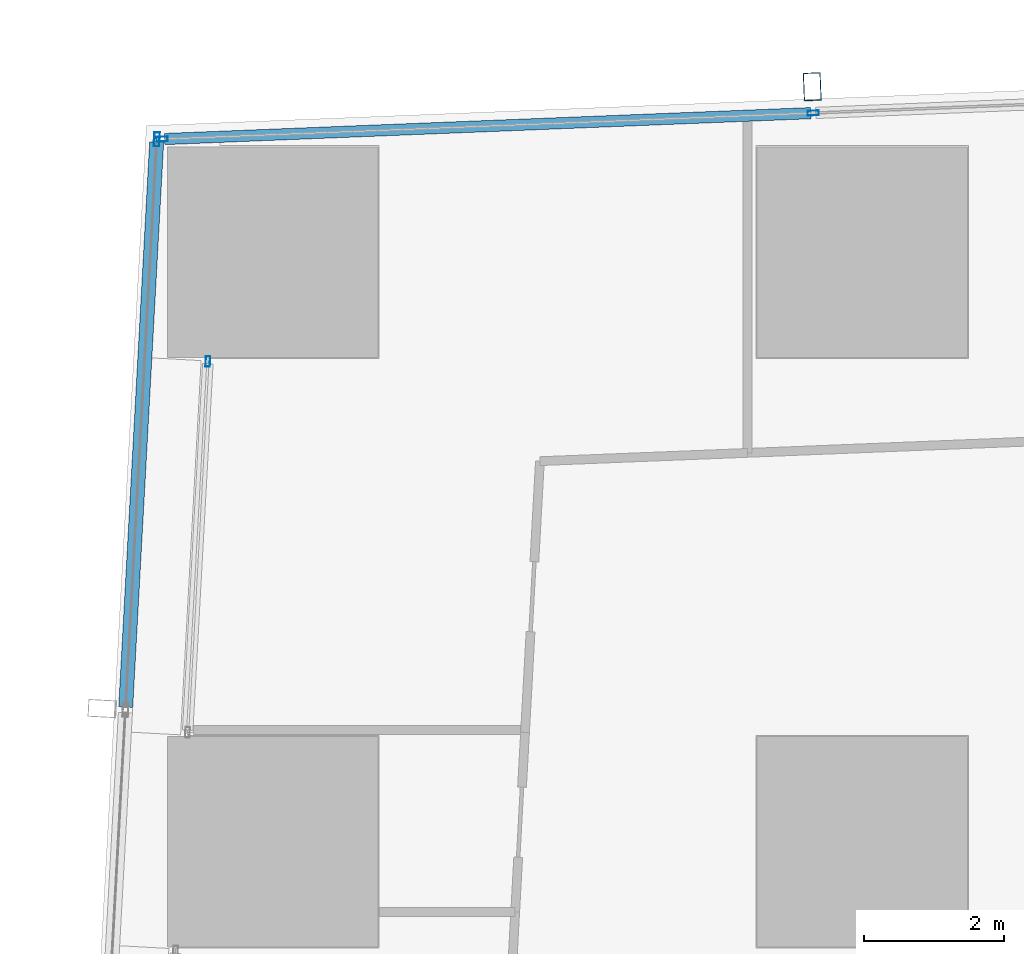
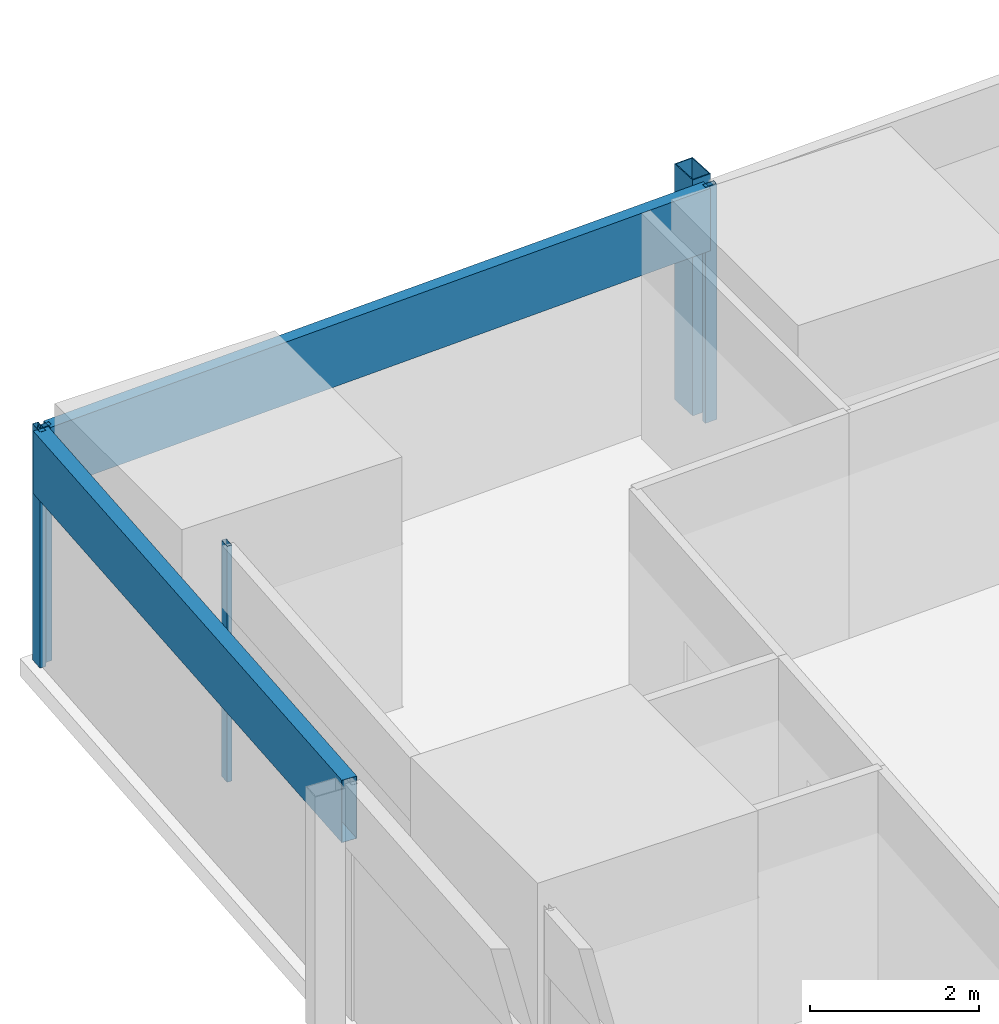
# One storey, part 15 of 38: 7 members, 3 elements without a shape of their own.
"""IFC4 building model written with IfcOpenShell, lengths in metres."""

import ifcopenshell
import ifcopenshell.guid

model = None  # the IFC model being written
_history = None  # IfcOwnerHistory: only IFC2X3 demands one
_inside = {}  # id of a spatial element -> (the spatial element, [elements in it])
_under = {}  # id of a project, library or spatial element -> (it, [spatial elements below it])
_declared = {}  # id of a project -> (the project, [libraries it declares])
_typed = {}  # id of a type object -> (the type object, [elements of that type])
_made_of = {}  # id of a material, layer set ... -> (it, [elements and type objects made of it])


def new_model(schema):
    """Start an empty IFC model of exactly this schema.

    Asked for "IFC4X3", IfcOpenShell would pick the latest addendum, in which some entities
    have other attributes; the version numbers below select the first issue.
    IFC2X3 requires an IfcOwnerHistory on every rooted entity: one is made here for all.
    """
    global model, _history
    if schema == "IFC4X3":
        model = ifcopenshell.file(schema_version=(4, 3, 0, 0))
    else:
        model = ifcopenshell.file(schema=schema)
    _inside.clear()
    _under.clear()
    _declared.clear()
    _typed.clear()
    _made_of.clear()
    _history = None
    if model.schema == "IFC2X3":
        org = make("IfcOrganization", Name="unknown")
        user = make(
            "IfcPersonAndOrganization",
            ThePerson=make("IfcPerson", FamilyName="unknown"),
            TheOrganization=org,
        )
        app = make(
            "IfcApplication",
            ApplicationDeveloper=org,
            Version="unknown",
            ApplicationFullName="unknown",
            ApplicationIdentifier="unknown",
        )
        _history = make(
            "IfcOwnerHistory",
            OwningUser=user,
            OwningApplication=app,
            ChangeAction="ADDED",
            CreationDate=0,
        )
    return model


def make(cls, **values):
    """One entity of the class cls with the attributes given. An attribute that is None is left unset."""
    return model.create_entity(
        cls, **{name: value for name, value in values.items() if value is not None}
    )


def rooted(cls, **values):
    """An entity with a GlobalId (a new one), such as an element, a storey or a relation."""
    return make(cls, GlobalId=ifcopenshell.guid.new(), OwnerHistory=_history, **values)


def si_unit(unit_type, name, prefix=None):
    """IfcSIUnit, for example si_unit("LENGTHUNIT", "METRE", prefix="MILLI")."""
    return make("IfcSIUnit", UnitType=unit_type, Prefix=prefix, Name=name)


def assignment(units):
    """IfcUnitAssignment: the units of a project."""
    return None if units is None else make("IfcUnitAssignment", Units=units)


def point(xyz):
    """IfcCartesianPoint."""
    return None if xyz is None else make("IfcCartesianPoint", Coordinates=xyz)


def direction(xyz):
    """IfcDirection."""
    return None if xyz is None else make("IfcDirection", DirectionRatios=xyz)


def frame(location, z_axis=None, x_axis=None):
    """IfcAxis2Placement3D, a coordinate frame: its origin and axes. An axis left out is left unset."""
    return make(
        "IfcAxis2Placement3D",
        Location=point(location),
        Axis=direction(z_axis),
        RefDirection=direction(x_axis),
    )


def frame_2d(location, x_axis=None):
    """IfcAxis2Placement2D, a coordinate frame in the plane: its origin and x axis."""
    return make(
        "IfcAxis2Placement2D", Location=point(location), RefDirection=direction(x_axis)
    )


def origin():
    """The frame at (0, 0, 0) with its axes left unset."""
    return frame((0.0, 0.0, 0.0))


def origin_2d():
    """The frame at (0, 0) in the plane with its x axis left unset."""
    return frame_2d((0.0, 0.0))


def place(relative_to, where):
    """IfcLocalPlacement: puts the frame where relative to a parent placement (None: the world)."""
    return make(
        "IfcLocalPlacement", PlacementRelTo=relative_to, RelativePlacement=where
    )


def context(
    kind, dimensions, precision=None, world=None, true_north=None, identifier=None
):
    """IfcGeometricRepresentationContext, for example the 3D "Model" context."""
    return make(
        "IfcGeometricRepresentationContext",
        ContextIdentifier=identifier,
        ContextType=kind,
        CoordinateSpaceDimension=dimensions,
        Precision=precision,
        WorldCoordinateSystem=world,
        TrueNorth=true_north,
    )


def subcontext(parent, identifier, kind, view, scale=None):
    """IfcGeometricRepresentationSubContext, for example "Body" below "Model"."""
    return make(
        "IfcGeometricRepresentationSubContext",
        ContextIdentifier=identifier,
        ContextType=kind,
        ParentContext=parent,
        TargetScale=scale,
        TargetView=view,
    )


def project(units=None, contexts=None):
    """IfcProject with its units and contexts."""
    return rooted(
        "IfcProject",
        Name="project",
        RepresentationContexts=contexts,
        UnitsInContext=assignment(units),
    )


def spatial(cls, under=None, at=None, **own):
    """A site, building, storey or space (cls), placed at a placement, below another one or the project."""
    s = rooted(cls, ObjectPlacement=at, **own)
    if under is not None:
        _under.setdefault(under.id(), (under, []))[1].append(s)
    return s


def profile(cls, at=None, kind="AREA", **sizes):
    """A parametric profile (cls). Its sizes go by their IFC names, for example OverallWidth=200.0."""
    return make(cls, ProfileType=kind, Position=at, **sizes)


def hollow_rectangle(**sizes):
    """IfcRectangleHollowProfileDef."""
    return profile("IfcRectangleHollowProfileDef", **sizes)


def extrude(swept, where, along, depth):
    """IfcExtrudedAreaSolid: the profile swept, set in the frame where, extruded along a direction by depth."""
    return make(
        "IfcExtrudedAreaSolid",
        SweptArea=swept,
        Position=where,
        ExtrudedDirection=direction(along),
        Depth=depth,
    )


def shape(context_of_items, identifier, shape_type, items):
    """IfcShapeRepresentation: the items that make up one representation, for example the "Body"."""
    return make(
        "IfcShapeRepresentation",
        ContextOfItems=context_of_items,
        RepresentationIdentifier=identifier,
        RepresentationType=shape_type,
        Items=items,
    )


def material(Name=None, Category=None):
    """IfcMaterial."""
    return make("IfcMaterial", Name=Name, Category=Category)


def material_profile(
    of_material, cross_section, Name=None, Category=None, Priority=None
):
    """IfcMaterialProfile: a cross section and its material."""
    return make(
        "IfcMaterialProfile",
        Name=Name,
        Material=of_material,
        Profile=cross_section,
        Priority=Priority,
        Category=Category,
    )


def profile_set(profiles, Name=None, composite=None):
    """IfcMaterialProfileSet."""
    return make(
        "IfcMaterialProfileSet",
        Name=Name,
        MaterialProfiles=profiles,
        CompositeProfile=composite,
    )


def made_of(thing, what):
    """Note that an element or type object is made of a material, layer set ...; save() writes the relation."""
    if what is not None:
        _made_of.setdefault(what.id(), (what, []))[1].append(thing)
    return thing


def type_object(cls, material=None, **own):
    """A type object (cls), such as IfcWallType, which elements share."""
    return made_of(rooted(cls, **own), material)


def element(
    cls,
    number,
    at=None,
    inside=None,
    cuts=None,
    type_object=None,
    material=None,
    context=None,
    identifier="Body",
    shape_type=None,
    held_by="IfcProductDefinitionShape",
    body=None,
    shapes=None,
    **own,
):
    """One element of the class cls, such as IfcWall. Its Tag is "e" and its number.

    at: its placement. inside: the storey or other place that contains it. cuts: it is an
    opening in that element (IfcRelVoidsElement). A single representation is given by context,
    identifier, shape_type and body (its items); several are given by shapes. held_by: the class
    of the entity that holds the representations. save() writes the other relations.
    """
    e = rooted(cls, Tag="e%d" % number, ObjectPlacement=at, **own)
    if body is not None:
        shapes = [shape(context, identifier, shape_type, body)]
    if shapes is not None:
        e.Representation = make(held_by, Representations=shapes)
    if inside is not None:
        _inside.setdefault(inside.id(), (inside, []))[1].append(e)
    if cuts is not None:
        rooted(
            "IfcRelVoidsElement", RelatingBuildingElement=cuts, RelatedOpeningElement=e
        )
    if type_object is not None:
        _typed.setdefault(type_object.id(), (type_object, []))[1].append(e)
    return made_of(e, material)


def aggregate(whole, parts):
    """IfcRelAggregates: a whole, such as a stair, and the parts it consists of."""
    return rooted("IfcRelAggregates", RelatingObject=whole, RelatedObjects=parts)


def save(model, path):
    """Write the relations noted so far, then the file.

    IfcRelAggregates (storeys below a building ...), IfcRelContainedInSpatialStructure (elements
    in a storey), IfcRelDefinesByType, IfcRelAssociatesMaterial and IfcRelDeclares: one each for
    every whole, place, type object, material and project.
    """
    for whole, parts in _under.values():
        aggregate(whole, parts)
    for where, things in _inside.values():
        rooted(
            "IfcRelContainedInSpatialStructure",
            RelatedElements=things,
            RelatingStructure=where,
        )
    for kind, things in _typed.values():
        rooted("IfcRelDefinesByType", RelatedObjects=things, RelatingType=kind)
    for what, things in _made_of.values():
        rooted("IfcRelAssociatesMaterial", RelatedObjects=things, RelatingMaterial=what)
    for by, libraries in _declared.values():
        rooted("IfcRelDeclares", RelatingContext=by, RelatedDefinitions=libraries)
    model.write(path)


model = new_model("IFC4")

# Units and contexts
model_context = context("Model", 3, precision=1e-05, world=origin(), true_north=direction((0.0, 1.0)))
body_context = subcontext(model_context, "Body", "Model", "MODEL_VIEW")
ifc_project = project(units=[si_unit("LENGTHUNIT", "METRE"), si_unit("AREAUNIT", "SQUARE_METRE"), si_unit("VOLUMEUNIT", "CUBIC_METRE"), si_unit("PLANEANGLEUNIT", "RADIAN"), si_unit("MASSUNIT", "GRAM", prefix="KILO")], contexts=[model_context])

# Site, building, storey
site_placement = place(None, origin())
site = spatial("IfcSite", under=ifc_project, at=site_placement, CompositionType="ELEMENT")
building_placement = place(site_placement, origin())
building = spatial("IfcBuilding", under=site, at=building_placement, Name="Rekha Terrace Tower", CompositionType="ELEMENT")
storey_placement = place(building_placement, frame((0.0, 0.0, 159.050048828125)))
storey = spatial("IfcBuildingStorey", under=building, at=storey_placement, Name="L40", CompositionType="ELEMENT", Elevation=159.050048828125)

# Curtain wall, member
ifc_material_1 = material(Name="Aluminium framing", Category="aluminium")
curtain_wall_type_1 = type_object("IfcCurtainWallType", Name="CW3 north unitised glazing", PredefinedType="USERDEFINED", material=ifc_material_1)
curtain_wall_1_placement = place(storey_placement, origin())
curtain_wall_1 = element("IfcCurtainWall", 1, at=curtain_wall_1_placement, inside=storey, type_object=curtain_wall_type_1, Name="CW3 unitised curtain wall", ObjectType="UNITISED CURTAIN WALL", PredefinedType="USERDEFINED")
ifc_material_2 = material(Name="Steel S355 with fluorocarbon finish", Category="steel")
ifc_material_profile_1 = material_profile(ifc_material_2, hollow_rectangle(XDim=0.25, YDim=0.39990234375, WallThickness=0.012451171875, at=origin_2d()), Name="RHS400x250x12.5")
ifc_profile_set_1 = profile_set([ifc_material_profile_1], Name="Steel S355 with fluorocarbon finish")
member_type_1 = type_object("IfcMemberType", Name="BL1 facade blade RHS 400 x 250", PredefinedType="USERDEFINED", material=ifc_profile_set_1)
member_1_placement = place(storey_placement, frame((16.0869140625, 61.1552734375, 0.0), z_axis=(0.0, 0.0, 1.0), x_axis=(-0.999198382632, -0.040032388711, 0.0)))
member_1 = element("IfcMember", 2, at=member_1_placement, type_object=member_type_1, Name="Facade blade", ObjectType="FACADE BLADE", PredefinedType="USERDEFINED", context=body_context, shape_type="SweptSolid", body=[
    extrude(hollow_rectangle(XDim=0.25, YDim=0.39990234375, WallThickness=0.012451171875, at=origin_2d()), origin(), (0.0, 0.0, 1.0), 3.39990234375),
])

curtain_wall_type_2 = type_object("IfcCurtainWallType", Name="CW1 double skin inner glazing", PredefinedType="USERDEFINED", material=ifc_material_1)
curtain_wall_2_placement = place(storey_placement, origin())
curtain_wall_2 = element("IfcCurtainWall", 3, at=curtain_wall_2_placement, inside=storey, type_object=curtain_wall_type_2, Name="CW1 double skin inner glazing", ObjectType="DOUBLE SKIN INNER GLAZING", PredefinedType="USERDEFINED")
ifc_material_3 = material(Name="Aluminium mullion section", Category="aluminium")
ifc_material_profile_2 = material_profile(ifc_material_3, hollow_rectangle(XDim=0.06494140625, YDim=0.14990234375, WallThickness=0.00390625, at=origin_2d()), Name="AL RHS 65x150")
ifc_profile_set_2 = profile_set([ifc_material_profile_2], Name="Aluminium mullion section")
member_type_2 = type_object("IfcMemberType", Name="CW1 mullion RHS 65 x 150", PredefinedType="MULLION", material=ifc_profile_set_2)
member_2_placement = place(storey_placement, frame((7.4775390625, 57.242431640625, 0.0), z_axis=(0.0, 0.0, 1.0), x_axis=(0.998500513176, -0.054742352777, 0.0)))
member_2 = element("IfcMember", 4, at=member_2_placement, type_object=member_type_2, Name="CW1 mullion 1", PredefinedType="MULLION", context=body_context, shape_type="SweptSolid", body=[
    extrude(hollow_rectangle(XDim=0.06494140625, YDim=0.14990234375, WallThickness=0.00390625, at=origin_2d()), origin(), (0.0, 0.0, 1.0), 3.39990234375),
])
aggregate(curtain_wall_2, [member_2])

# Curtain wall, members
curtain_wall_type_3 = type_object("IfcCurtainWallType", Name="CW2 double skin outer glazing", PredefinedType="USERDEFINED", material=ifc_material_1)
curtain_wall_3_placement = place(storey_placement, origin())
curtain_wall_3 = element("IfcCurtainWall", 5, at=curtain_wall_3_placement, inside=storey, type_object=curtain_wall_type_3, Name="CW2 double skin outer glazing", ObjectType="DOUBLE SKIN OUTER GLAZING", PredefinedType="USERDEFINED")
ifc_material_profile_3 = material_profile(ifc_material_3, hollow_rectangle(XDim=0.080078125, YDim=0.199951171875, WallThickness=0.00390625, at=origin_2d()), Name="AL RHS 80x200")
ifc_profile_set_3 = profile_set([ifc_material_profile_3], Name="Aluminium mullion section")
member_type_3 = type_object("IfcMemberType", Name="CW2 mullion RHS 80 x 200", PredefinedType="MULLION", material=ifc_profile_set_3)
member_3_placement = place(storey_placement, frame((6.74951171875, 60.406005859375, 0.0), z_axis=(0.0, 0.0, 1.0), x_axis=(0.99850051318, -0.054742352707, 0.0)))
member_3 = element("IfcMember", 6, at=member_3_placement, type_object=member_type_3, Name="CW2 mullion 1", PredefinedType="MULLION", context=body_context, shape_type="SweptSolid", body=[
    extrude(hollow_rectangle(XDim=0.080078125, YDim=0.199951171875, WallThickness=0.00390625, at=origin_2d()), origin(), (0.0, 0.0, 1.0), 3.39990234375),
])
ifc_material_4 = material(Name="Insulated aluminium spandrel box", Category="aluminium")
ifc_material_profile_4 = material_profile(ifc_material_4, hollow_rectangle(XDim=0.199951171875, YDim=0.89990234375, WallThickness=0.0029296875, at=origin_2d()), Name="AL SPANDREL BOX 200x900")
ifc_profile_set_4 = profile_set([ifc_material_profile_4], Name="Insulated aluminium spandrel box")
member_type_4 = type_object("IfcMemberType", Name="CW2 spandrel transom 200 x 900", PredefinedType="USERDEFINED", material=ifc_profile_set_4)
member_4_placement = place(storey_placement, frame((6.747314453125, 60.365966796875, 2.949951171875), z_axis=(-0.054735200093, -0.998500905293, 0.0), x_axis=(0.998500905293, -0.054735200093, 0.0)))
member_4 = element("IfcMember", 7, at=member_4_placement, type_object=member_type_4, Name="CW2 spandrel transom 1", ObjectType="TRANSOM", PredefinedType="USERDEFINED", context=body_context, shape_type="SweptSolid", body=[
    extrude(hollow_rectangle(XDim=0.199951171875, YDim=0.89990234375, WallThickness=0.0029296875, at=origin_2d()), origin(), (0.0, 0.0, 1.0), 8.059814453125),
])
aggregate(curtain_wall_3, [member_3, member_4])

# Member
ifc_material_profile_5 = material_profile(ifc_material_3, hollow_rectangle(XDim=0.070068359375, YDim=0.159912109375, WallThickness=0.00390625, at=origin_2d()), Name="AL RHS 70x160")
ifc_profile_set_5 = profile_set([ifc_material_profile_5], Name="Aluminium mullion section")
member_type_5 = type_object("IfcMemberType", Name="CW3 mullion RHS 70 x 160", PredefinedType="MULLION", material=ifc_profile_set_5)
member_5_placement = place(storey_placement, frame((16.101806640625, 60.780517578125, 0.0), z_axis=(0.0, 0.0, 1.0), x_axis=(0.040031987119, -0.999198398721, 0.0)))
member_5 = element("IfcMember", 8, at=member_5_placement, type_object=member_type_5, Name="CW3 mullion 4", PredefinedType="MULLION", context=body_context, shape_type="SweptSolid", body=[
    extrude(hollow_rectangle(XDim=0.070068359375, YDim=0.159912109375, WallThickness=0.00390625, at=origin_2d()), origin(), (0.0, 0.0, 1.0), 3.39990234375),
])

member_6_placement = place(storey_placement, frame((6.82470703125, 60.408935546875, 0.0), z_axis=(0.0, 0.0, 1.0), x_axis=(0.040031987119, -0.999198398721, 0.0)))
member_6 = element("IfcMember", 9, at=member_6_placement, type_object=member_type_5, Name="CW3 mullion 5", PredefinedType="MULLION", context=body_context, shape_type="SweptSolid", body=[
    extrude(hollow_rectangle(XDim=0.070068359375, YDim=0.159912109375, WallThickness=0.00390625, at=origin_2d()), origin(), (0.0, 0.0, 1.0), 3.39990234375),
])

ifc_material_profile_6 = material_profile(ifc_material_4, hollow_rectangle(XDim=0.159912109375, YDim=0.89990234375, WallThickness=0.0029296875, at=origin_2d()), Name="AL SPANDREL BOX 160x900")
ifc_profile_set_6 = profile_set([ifc_material_profile_6], Name="Insulated aluminium spandrel box")
member_type_6 = type_object("IfcMemberType", Name="CW3 spandrel transom 160 x 900", PredefinedType="USERDEFINED", material=ifc_profile_set_6)
member_7_placement = place(storey_placement, frame((16.06689453125, 60.779052734375, 2.949951171875), z_axis=(-0.999198332483, -0.040033640399, 0.0), x_axis=(0.040033640399, -0.999198332483, 0.0)))
member_7 = element("IfcMember", 10, at=member_7_placement, type_object=member_type_6, Name="CW3 spandrel transom 4", ObjectType="TRANSOM", PredefinedType="USERDEFINED", context=body_context, shape_type="SweptSolid", body=[
    extrude(hollow_rectangle(XDim=0.159912109375, YDim=0.89990234375, WallThickness=0.0029296875, at=origin_2d()), origin(), (0.0, 0.0, 1.0), 9.214599609375),
])

aggregate(curtain_wall_1, [member_5, member_6, member_7, member_1])

save(model, "model.ifc")
